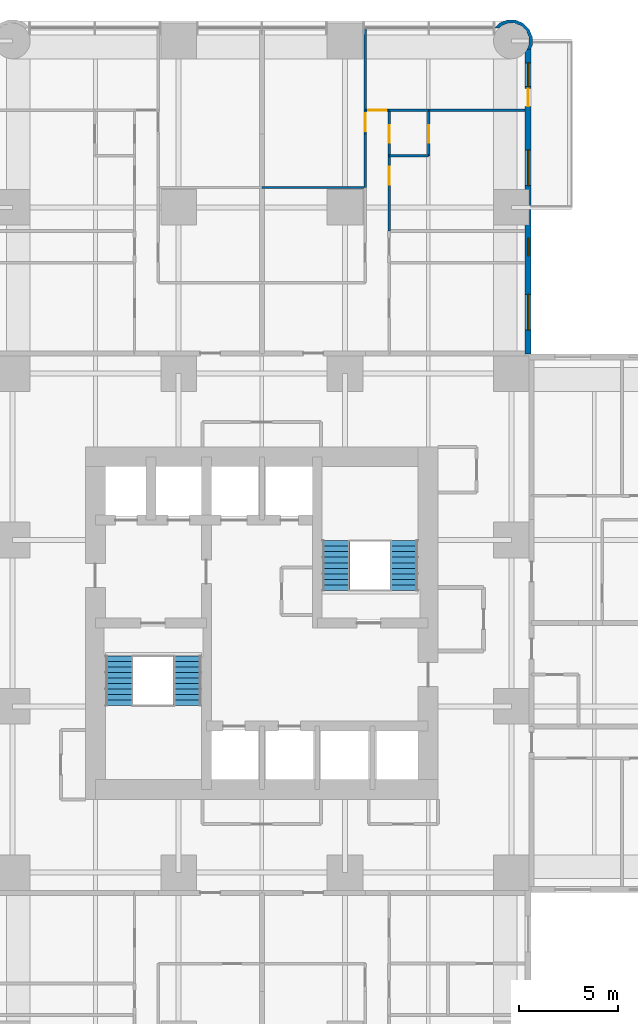
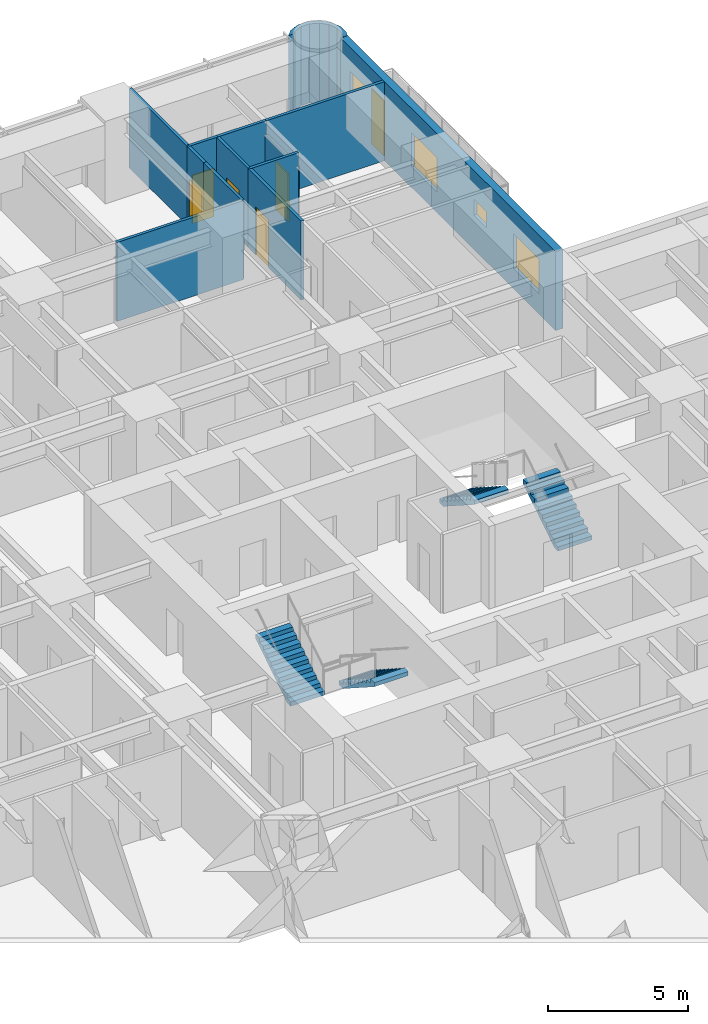
# One storey, part 15 of 17: 13 walls, 6 doors, 4 stair flights, 4 windows, 10 openings, 2 elements without a shape of their own.
"""IFC4 building model written with IfcOpenShell, lengths in metres."""

from ifc_helpers import new_model, si_unit, direction, frame, frame_2d, origin, place, context, subcontext, project, spatial, polyline, rectangle, outline, extrude, material, layer, layer_set, type_object, element, fill, aggregate, save


model = new_model("IFC4")

# Units and contexts
model_context = context("Model", 3, precision=1e-05, world=origin(), true_north=direction((0.0, 1.0)))
body_context = subcontext(model_context, "Body", "Model", "MODEL_VIEW")
ifc_project = project(units=[si_unit("LENGTHUNIT", "METRE"), si_unit("AREAUNIT", "SQUARE_METRE"), si_unit("VOLUMEUNIT", "CUBIC_METRE"), si_unit("PLANEANGLEUNIT", "RADIAN"), si_unit("MASSUNIT", "GRAM", prefix="KILO")], contexts=[model_context])

# Site, building, storey
site_placement = place(None, origin())
site = spatial("IfcSite", under=ifc_project, at=site_placement, CompositionType="ELEMENT")
building_placement = place(site_placement, origin())
building = spatial("IfcBuilding", under=site, at=building_placement, Name="Torre Alcanfor", CompositionType="ELEMENT")
storey_placement = place(building_placement, frame((0.0, 0.0, 52.5)))
storey = spatial("IfcBuildingStorey", under=building, at=storey_placement, Name="L12", CompositionType="ELEMENT", Elevation=52.5)

# Walls
ifc_material_1 = material(Name="Gypsum board on steel studs", Category="steel")
ifc_layer_1 = layer(ifc_material_1, 0.1201171875)
ifc_layer_set_1 = layer_set([ifc_layer_1], Name="Apartment partition 120")
wall_type_1 = type_object("IfcWallType", Name="Apartment partition 120", PredefinedType="PARTITIONING", material=ifc_layer_set_1)
wall_1_placement = place(storey_placement, frame((29.39990234375, 51.39990234375, 0.0), z_axis=(0.0, 0.0, 1.0), x_axis=(1.0, 0.0, 0.0)))
element("IfcWall", 1, at=wall_1_placement, inside=storey, type_object=wall_type_1, Name="Partition L12-N2-FAMILY / L12-N2-KITCHEN", PredefinedType="PARTITIONING", context=body_context, shape_type="SweptSolid", body=[
    extrude(rectangle(XDim=5.22900390625, YDim=0.1201171875, at=frame_2d((2.614501953125, 0.0))), origin(), (0.0, 0.0, 1.0), 3.449951171875),
])
wall_2_placement = place(storey_placement, frame((34.62890625, 54.10009765625, 0.0), z_axis=(0.0, 0.0, 1.0), x_axis=(0.0, -1.0, 0.0)))
element("IfcWall", 2, at=wall_2_placement, inside=storey, type_object=wall_type_1, Name="Partition L12-N2-KITCHEN / L12-N2-HALL", PredefinedType="PARTITIONING", context=body_context, shape_type="SweptSolid", body=[
    extrude(rectangle(XDim=2.7001953125, YDim=0.1201171875, at=frame_2d((1.35009765625, 0.0))), origin(), (0.0, 0.0, 1.0), 3.449951171875),
])

# Wall, opening, door
wall_3_placement = place(storey_placement, frame((34.62890625, 55.300048828125, 0.0), z_axis=(0.0, 0.0, 1.0), x_axis=(0.0, -1.0, 0.0)))
wall_3 = element("IfcWall", 3, at=wall_3_placement, inside=storey, type_object=wall_type_1, Name="Partition L12-N2-LIVING / L12-N2-HALL", PredefinedType="PARTITIONING", context=body_context, shape_type="SweptSolid", body=[
    extrude(rectangle(XDim=1.199951171875, YDim=0.1201171875, at=frame_2d((0.60009765625, 0.0))), origin(), (0.0, 0.0, 1.0), 3.449951171875),
])
opening_1_placement = place(wall_3_placement, frame((0.14990234375, 0.0, 0.0)))
opening_1 = element("IfcOpeningElement", 4, at=opening_1_placement, cuts=wall_3, Name="Opening D-R1", PredefinedType="OPENING", context=body_context, shape_type="SweptSolid", body=[
    extrude(rectangle(XDim=0.89990234375, YDim=2.10009765625, at=frame_2d((0.449951171875, 1.050048828125))), frame((0.0, 0.070068359375, 0.0), z_axis=(0.0, -1.0, 0.0), x_axis=(1.0, 0.0, 0.0)), (0.0, 0.0, 1.0), 0.14013671875),
])
ifc_material_2 = material(Name="Timber", Category="wood")
door_type_1 = type_object("IfcDoorType", Name="Internal door 900x2100", OperationType="SINGLE_SWING_LEFT", PredefinedType="DOOR", material=ifc_material_2)
door_1_placement = place(opening_1_placement, frame((0.89990234375, 0.0, 0.0), z_axis=(0.0, 0.0, 1.0), x_axis=(-1.0, 0.0, 0.0)))
door_1 = element("IfcDoor", 5, at=door_1_placement, inside=storey, type_object=door_type_1, Name="Door L12-N2 living", OperationType="SINGLE_SWING_LEFT", OverallHeight=2.10009765625, OverallWidth=0.89990234375, PredefinedType="DOOR", context=body_context, shape_type="SweptSolid", body=[
    extrude(rectangle(XDim=0.89990234375, YDim=2.10009765625, at=frame_2d((0.449951171875, 1.050048828125))), frame((0.0, 0.025146484375, 0.0), z_axis=(0.0, -1.0, 0.0), x_axis=(1.0, 0.0, 0.0)), (0.0, 0.0, 1.0), 0.050048828125),
])
fill(opening_1, door_1)

# Wall
wall_4_placement = place(storey_placement, frame((34.62890625, 59.449951171875, 0.0), z_axis=(0.0, 0.0, 1.0), x_axis=(0.0, -1.0, 0.0)))
element("IfcWall", 6, at=wall_4_placement, inside=storey, type_object=wall_type_1, Name="Partition L12-N2-LIVING / L12-N2-WGARD", PredefinedType="PARTITIONING", context=body_context, shape_type="SweptSolid", body=[
    extrude(rectangle(XDim=4.14990234375, YDim=0.1201171875, at=frame_2d((2.074951171875, 0.0))), origin(), (0.0, 0.0, 1.0), 3.449951171875),
])

# Wall, opening, door
wall_5_placement = place(storey_placement, frame((35.8291015625, 53.0, 0.0), z_axis=(0.0, 0.0, 1.0), x_axis=(0.0, -1.0, 0.0)))
wall_5 = element("IfcWall", 7, at=wall_5_placement, inside=storey, type_object=wall_type_1, Name="Partition L12-N2-HALL / L12-N2-MASTER", PredefinedType="PARTITIONING", context=body_context, shape_type="SweptSolid", body=[
    extrude(rectangle(XDim=3.800048828125, YDim=0.1201171875, at=frame_2d((1.89990234375, 0.0))), origin(), (0.0, 0.0, 1.0), 3.449951171875),
])
opening_2_placement = place(wall_5_placement, frame((0.550048828125, 0.0, 0.0)))
opening_2 = element("IfcOpeningElement", 8, at=opening_2_placement, cuts=wall_5, Name="Opening D-R1", PredefinedType="OPENING", context=body_context, shape_type="SweptSolid", body=[
    extrude(rectangle(XDim=0.89990234375, YDim=2.10009765625, at=frame_2d((0.449951171875, 1.050048828125))), frame((0.0, 0.070068359375, 0.0), z_axis=(0.0, -1.0, 0.0), x_axis=(1.0, 0.0, 0.0)), (0.0, 0.0, 1.0), 0.14013671875),
])
door_2_placement = place(opening_2_placement, origin())
door_2 = element("IfcDoor", 9, at=door_2_placement, inside=storey, type_object=door_type_1, Name="Door L12-N2 master", OperationType="SINGLE_SWING_LEFT", OverallHeight=2.10009765625, OverallWidth=0.89990234375, PredefinedType="DOOR", context=body_context, shape_type="SweptSolid", body=[
    extrude(rectangle(XDim=0.89990234375, YDim=2.10009765625, at=frame_2d((0.449951171875, 1.050048828125))), frame((0.0, 0.02490234375, 0.0), z_axis=(0.0, -1.0, 0.0), x_axis=(1.0, 0.0, 0.0)), (0.0, 0.0, 1.0), 0.050048828125),
])
fill(opening_2, door_2)

wall_6_placement = place(storey_placement, frame((35.8291015625, 55.300048828125, 0.0), z_axis=(0.0, 0.0, 1.0), x_axis=(0.0, -1.0, 0.0)))
wall_6 = element("IfcWall", 10, at=wall_6_placement, inside=storey, type_object=wall_type_1, Name="Partition L12-N2-HALL / L12-N2-VEST", PredefinedType="PARTITIONING", context=body_context, shape_type="SweptSolid", body=[
    extrude(rectangle(XDim=2.300048828125, YDim=0.1201171875, at=frame_2d((1.14990234375, 0.0))), origin(), (0.0, 0.0, 1.0), 3.449951171875),
])
opening_3_placement = place(wall_6_placement, frame((0.75, 0.0, 0.0)))
opening_3 = element("IfcOpeningElement", 11, at=opening_3_placement, cuts=wall_6, Name="Opening D-R1", PredefinedType="OPENING", context=body_context, shape_type="SweptSolid", body=[
    extrude(rectangle(XDim=0.89990234375, YDim=2.10009765625, at=frame_2d((0.449951171875, 1.050048828125))), frame((0.0, 0.070068359375, 0.0), z_axis=(0.0, -1.0, 0.0), x_axis=(1.0, 0.0, 0.0)), (0.0, 0.0, 1.0), 0.14013671875),
])
door_3_placement = place(opening_3_placement, origin())
door_3 = element("IfcDoor", 12, at=door_3_placement, inside=storey, type_object=door_type_1, Name="Door L12-N2 vest", OperationType="SINGLE_SWING_RIGHT", OverallHeight=2.10009765625, OverallWidth=0.89990234375, PredefinedType="DOOR", context=body_context, shape_type="SweptSolid", body=[
    extrude(rectangle(XDim=0.89990234375, YDim=2.10009765625, at=frame_2d((0.449951171875, 1.050048828125))), frame((0.0, 0.02490234375, 0.0), z_axis=(0.0, -1.0, 0.0), x_axis=(1.0, 0.0, 0.0)), (0.0, 0.0, 1.0), 0.050048828125),
])
fill(opening_3, door_3)

wall_7_placement = place(storey_placement, frame((34.62890625, 55.300048828125, 0.0), z_axis=(0.0, 0.0, 1.0), x_axis=(1.0, 0.0, 0.0)))
wall_7 = element("IfcWall", 13, at=wall_7_placement, inside=storey, type_object=wall_type_1, Name="Partition L12-N2-HALL / L12-N2-WGARD", PredefinedType="PARTITIONING", context=body_context, shape_type="SweptSolid", body=[
    extrude(rectangle(XDim=1.2001953125, YDim=0.1201171875, at=frame_2d((0.60009765625, 0.0))), origin(), (0.0, 0.0, 1.0), 3.449951171875),
])
opening_4_placement = place(wall_7_placement, frame((0.15087890625, 0.0, 0.0)))
opening_4 = element("IfcOpeningElement", 14, at=opening_4_placement, cuts=wall_7, Name="Opening D-R1", PredefinedType="OPENING", context=body_context, shape_type="SweptSolid", body=[
    extrude(rectangle(XDim=0.89990234375, YDim=2.10009765625, at=frame_2d((0.449951171875, 1.050048828125))), frame((0.0, 0.070068359375, 0.0), z_axis=(0.0, -1.0, 0.0), x_axis=(1.0, 0.0, 0.0)), (0.0, 0.0, 1.0), 0.14013671875),
])
door_4_placement = place(opening_4_placement, origin())
door_4 = element("IfcDoor", 15, at=door_4_placement, inside=storey, type_object=door_type_1, Name="Door L12-N2 wgard", OperationType="SINGLE_SWING_LEFT", OverallHeight=2.10009765625, OverallWidth=0.89990234375, PredefinedType="DOOR", context=body_context, shape_type="SweptSolid", body=[
    extrude(rectangle(XDim=0.89990234375, YDim=2.10009765625, at=frame_2d((0.449951171875, 1.050048828125))), frame((0.0, 0.02490234375, 0.0), z_axis=(0.0, -1.0, 0.0), x_axis=(1.0, 0.0, 0.0)), (0.0, 0.0, 1.0), 0.050048828125),
])
fill(opening_4, door_4)

# Wall
wall_8_placement = place(storey_placement, frame((35.8291015625, 53.0, 0.0), z_axis=(0.0, 0.0, 1.0), x_axis=(1.0, 0.0, 0.0)))
element("IfcWall", 16, at=wall_8_placement, inside=storey, type_object=wall_type_1, Name="Partition L12-N2-MASTER / L12-N2-VEST", PredefinedType="PARTITIONING", context=body_context, shape_type="SweptSolid", body=[
    extrude(rectangle(XDim=2.0, YDim=0.1201171875, at=frame_2d((1.0, 0.0))), origin(), (0.0, 0.0, 1.0), 3.449951171875),
])

# Wall, opening, door
wall_9_placement = place(storey_placement, frame((37.8291015625, 53.0, 0.0), z_axis=(0.0, 0.0, 1.0), x_axis=(0.0, 1.0, 0.0)))
wall_9 = element("IfcWall", 17, at=wall_9_placement, inside=storey, type_object=wall_type_1, Name="Partition L12-N2-MASTER / L12-N2-VEST", PredefinedType="PARTITIONING", context=body_context, shape_type="SweptSolid", body=[
    extrude(rectangle(XDim=2.300048828125, YDim=0.1201171875, at=frame_2d((1.14990234375, 0.0))), origin(), (0.0, 0.0, 1.0), 2.847900390625),
])
opening_5_placement = place(wall_9_placement, frame((0.64990234375, 0.0, 0.0)))
opening_5 = element("IfcOpeningElement", 18, at=opening_5_placement, cuts=wall_9, Name="Opening D-R1", PredefinedType="OPENING", context=body_context, shape_type="SweptSolid", body=[
    extrude(rectangle(XDim=0.89990234375, YDim=2.10009765625, at=frame_2d((0.449951171875, 1.050048828125))), frame((0.0, 0.070068359375, 0.0), z_axis=(0.0, -1.0, 0.0), x_axis=(1.0, 0.0, 0.0)), (0.0, 0.0, 1.0), 0.14013671875),
])
door_5_placement = place(opening_5_placement, origin())
door_5 = element("IfcDoor", 19, at=door_5_placement, inside=storey, type_object=door_type_1, Name="Door L12-N2 master", OperationType="SINGLE_SWING_LEFT", OverallHeight=2.10009765625, OverallWidth=0.89990234375, PredefinedType="DOOR", context=body_context, shape_type="SweptSolid", body=[
    extrude(rectangle(XDim=0.89990234375, YDim=2.10009765625, at=frame_2d((0.449951171875, 1.050048828125))), frame((0.0, 0.02490234375, 0.0), z_axis=(0.0, -1.0, 0.0), x_axis=(1.0, 0.0, 0.0)), (0.0, 0.0, 1.0), 0.050048828125),
])
fill(opening_5, door_5)

# Walls
wall_10_placement = place(storey_placement, frame((37.8291015625, 55.300048828125, 0.0), z_axis=(0.0, 0.0, 1.0), x_axis=(1.0, 0.0, 0.0)))
element("IfcWall", 20, at=wall_10_placement, inside=storey, type_object=wall_type_1, Name="Partition L12-N2-MASTER / L12-N2-WGARD", PredefinedType="PARTITIONING", context=body_context, shape_type="SweptSolid", body=[
    extrude(rectangle(XDim=4.870849609375, YDim=0.1201171875, at=frame_2d((2.435546875, 0.0))), origin(), (0.0, 0.0, 1.0), 3.449951171875),
])
wall_11_placement = place(storey_placement, frame((35.8291015625, 55.300048828125, 0.0), z_axis=(0.0, 0.0, 1.0), x_axis=(1.0, 0.0, 0.0)))
element("IfcWall", 21, at=wall_11_placement, inside=storey, type_object=wall_type_1, Name="Partition L12-N2-VEST / L12-N2-WGARD", PredefinedType="PARTITIONING", context=body_context, shape_type="SweptSolid", body=[
    extrude(rectangle(XDim=2.0, YDim=0.1201171875, at=frame_2d((1.0, 0.0))), origin(), (0.0, 0.0, 1.0), 3.449951171875),
])

# Wall, openings, door, windows
ifc_material_3 = material(Name="Limestone cladding", Category="masonry")
ifc_layer_2 = layer(ifc_material_3, 0.0400390625, Name="Facing")
ifc_material_4 = material(Name="Ventilated air cavity")
ifc_layer_3 = layer(ifc_material_4, 0.02001953125, ventilated=True, Name="Ventilated joint")
ifc_material_5 = material(Name="Mineral wool insulation", Category="insulation")
ifc_layer_4 = layer(ifc_material_5, 0.10009765625, Name="Insulation")
ifc_material_6 = material(Name="Concrete f'c 35 MPa", Category="concrete")
ifc_layer_5 = layer(ifc_material_6, 0.139892578125, Name="Backing")
ifc_layer_set_2 = layer_set([ifc_layer_2, ifc_layer_3, ifc_layer_4, ifc_layer_5], Name="External wall stone-clad 300")
wall_type_2 = type_object("IfcWallType", Name="External wall stone-clad 300", PredefinedType="SOLIDWALL", material=ifc_layer_set_2)
wall_12_placement = place(storey_placement, frame((42.85009765625, 43.0, 0.0), z_axis=(0.0, 0.0, 1.0), x_axis=(0.0, 1.0, 0.0)))
wall_12 = element("IfcWall", 22, at=wall_12_placement, inside=storey, type_object=wall_type_2, Name="External wall L12 10", PredefinedType="SOLIDWALL", context=body_context, shape_type="SweptSolid", body=[
    extrude(rectangle(XDim=15.39990234375, YDim=0.300048828125, at=frame_2d((7.699951171875, 0.0))), origin(), (0.0, 0.0, 1.0), 3.449951171875),
])
opening_6_placement = place(wall_12_placement, frame((1.199951171875, 0.0, 0.89990234375)))
opening_6 = element("IfcOpeningElement", 23, at=opening_6_placement, cuts=wall_12, Name="Opening W2", PredefinedType="OPENING", context=body_context, shape_type="SweptSolid", body=[
    extrude(rectangle(XDim=1.800048828125, YDim=1.5, at=frame_2d((0.89990234375, 0.75))), frame((0.0, 0.159912109375, 0.0), z_axis=(0.0, -1.0, 0.0), x_axis=(1.0, 0.0, 0.0)), (0.0, 0.0, 1.0), 0.320068359375),
])
opening_7_placement = place(wall_12_placement, frame((4.949951171875, 0.0, 1.5)))
opening_7 = element("IfcOpeningElement", 24, at=opening_7_placement, cuts=wall_12, Name="Opening W3", PredefinedType="OPENING", context=body_context, shape_type="SweptSolid", body=[
    extrude(rectangle(XDim=0.89990234375, YDim=0.699951171875, at=frame_2d((0.449951171875, 0.35009765625))), frame((0.0, 0.159912109375, 0.0), z_axis=(0.0, -1.0, 0.0), x_axis=(1.0, 0.0, 0.0)), (0.0, 0.0, 1.0), 0.320068359375),
])
opening_8_placement = place(wall_12_placement, frame((8.5, 0.0, 0.89990234375)))
opening_8 = element("IfcOpeningElement", 25, at=opening_8_placement, cuts=wall_12, Name="Opening W2", PredefinedType="OPENING", context=body_context, shape_type="SweptSolid", body=[
    extrude(rectangle(XDim=1.800048828125, YDim=1.5, at=frame_2d((0.89990234375, 0.75))), frame((0.0, 0.159912109375, 0.0), z_axis=(0.0, -1.0, 0.0), x_axis=(1.0, 0.0, 0.0)), (0.0, 0.0, 1.0), 0.320068359375),
])
opening_9_placement = place(wall_12_placement, frame((12.5, 0.0, 0.0)))
opening_9 = element("IfcOpeningElement", 26, at=opening_9_placement, cuts=wall_12, Name="Opening D-B1", PredefinedType="OPENING", context=body_context, shape_type="SweptSolid", body=[
    extrude(rectangle(XDim=0.89990234375, YDim=2.39990234375, at=frame_2d((0.449951171875, 1.199951171875))), frame((0.0, 0.159912109375, 0.0), z_axis=(0.0, -1.0, 0.0), x_axis=(1.0, 0.0, 0.0)), (0.0, 0.0, 1.0), 0.320068359375),
])
opening_10_placement = place(wall_12_placement, frame((13.5, 0.0, 0.89990234375)))
opening_10 = element("IfcOpeningElement", 27, at=opening_10_placement, cuts=wall_12, Name="Opening W4", PredefinedType="OPENING", context=body_context, shape_type="SweptSolid", body=[
    extrude(rectangle(XDim=1.199951171875, YDim=1.5, at=frame_2d((0.60009765625, 0.75))), frame((0.0, 0.159912109375, 0.0), z_axis=(0.0, -1.0, 0.0), x_axis=(1.0, 0.0, 0.0)), (0.0, 0.0, 1.0), 0.320068359375),
])
ifc_material_7 = material(Name="Aluminium and glass", Category="aluminium")
door_type_2 = type_object("IfcDoorType", Name="Balcony door glazed 900x2400", OperationType="SINGLE_SWING_LEFT", PredefinedType="DOOR", material=ifc_material_7)
door_6_placement = place(opening_9_placement, origin())
door_6 = element("IfcDoor", 28, at=door_6_placement, inside=storey, type_object=door_type_2, Name="Balcony door L12-N2", OperationType="SINGLE_SWING_LEFT", OverallHeight=2.39990234375, OverallWidth=0.89990234375, PredefinedType="DOOR", context=body_context, shape_type="SweptSolid", body=[
    extrude(rectangle(XDim=0.89990234375, YDim=2.39990234375, at=frame_2d((0.449951171875, 1.199951171875))), frame((0.0, 0.02490234375, 0.0), z_axis=(0.0, -1.0, 0.0), x_axis=(1.0, 0.0, 0.0)), (0.0, 0.0, 1.0), 0.050048828125),
])
fill(opening_9, door_6)
ifc_material_8 = material(Name="Aluminium frame with clear double glazing", Category="aluminium")
window_type_1 = type_object("IfcWindowType", Name="Window bathroom 900x700", PartitioningType="SINGLE_PANEL", PredefinedType="WINDOW", material=ifc_material_8)
window_1_placement = place(opening_7_placement, origin())
window_1 = element("IfcWindow", 29, at=window_1_placement, inside=storey, type_object=window_type_1, Name="Window W3 L12-N2", OverallHeight=0.699951171875, OverallWidth=0.89990234375, PartitioningType="SINGLE_PANEL", PredefinedType="WINDOW", context=body_context, shape_type="SweptSolid", body=[
    extrude(rectangle(XDim=0.89990234375, YDim=0.699951171875, at=frame_2d((0.449951171875, 0.35009765625))), frame((0.0, 0.030029296875, 0.0), z_axis=(0.0, -1.0, 0.0), x_axis=(1.0, 0.0, 0.0)), (0.0, 0.0, 1.0), 0.06005859375),
])
fill(opening_7, window_1)
ifc_material_9 = material(Name="Aluminium frame with clear double glazing", Category="aluminium")
window_type_2 = type_object("IfcWindowType", Name="Window bedroom 1200x1500", PartitioningType="SINGLE_PANEL", PredefinedType="WINDOW", material=ifc_material_9)
window_2_placement = place(opening_10_placement, origin())
window_2 = element("IfcWindow", 30, at=window_2_placement, inside=storey, type_object=window_type_2, Name="Window W4 L12-N2", OverallHeight=1.5, OverallWidth=1.199951171875, PartitioningType="SINGLE_PANEL", PredefinedType="WINDOW", context=body_context, shape_type="SweptSolid", body=[
    extrude(rectangle(XDim=1.199951171875, YDim=1.5, at=frame_2d((0.60009765625, 0.75))), frame((0.0, 0.030029296875, 0.0), z_axis=(0.0, -1.0, 0.0), x_axis=(1.0, 0.0, 0.0)), (0.0, 0.0, 1.0), 0.06005859375),
])
fill(opening_10, window_2)
ifc_material_10 = material(Name="Aluminium frame with clear double glazing", Category="aluminium")
window_type_3 = type_object("IfcWindowType", Name="Window bedroom 1800x1500", PartitioningType="SINGLE_PANEL", PredefinedType="WINDOW", material=ifc_material_10)
window_3_placement = place(opening_6_placement, origin())
window_3 = element("IfcWindow", 31, at=window_3_placement, inside=storey, type_object=window_type_3, Name="Window W2 L12-N2", OverallHeight=1.5, OverallWidth=1.800048828125, PartitioningType="SINGLE_PANEL", PredefinedType="WINDOW", context=body_context, shape_type="SweptSolid", body=[
    extrude(rectangle(XDim=1.800048828125, YDim=1.5, at=frame_2d((0.89990234375, 0.75))), frame((0.0, 0.030029296875, 0.0), z_axis=(0.0, -1.0, 0.0), x_axis=(1.0, 0.0, 0.0)), (0.0, 0.0, 1.0), 0.06005859375),
])
fill(opening_6, window_3)
window_4_placement = place(opening_8_placement, origin())
window_4 = element("IfcWindow", 32, at=window_4_placement, inside=storey, type_object=window_type_3, Name="Window W2 L12-N2", OverallHeight=1.5, OverallWidth=1.800048828125, PartitioningType="SINGLE_PANEL", PredefinedType="WINDOW", context=body_context, shape_type="SweptSolid", body=[
    extrude(rectangle(XDim=1.800048828125, YDim=1.5, at=frame_2d((0.89990234375, 0.75))), frame((0.0, 0.030029296875, 0.0), z_axis=(0.0, -1.0, 0.0), x_axis=(1.0, 0.0, 0.0)), (0.0, 0.0, 1.0), 0.06005859375),
])
fill(opening_8, window_4)

# Wall
ifc_layer_6 = layer(ifc_material_3, 0.0400390625, Name="Facing")
ifc_layer_7 = layer(ifc_material_4, 0.02001953125, ventilated=True, Name="Ventilated joint")
ifc_layer_8 = layer(ifc_material_5, 0.10009765625, Name="Insulation")
ifc_layer_9 = layer(ifc_material_6, 0.139892578125, Name="Backing")
ifc_layer_set_3 = layer_set([ifc_layer_6, ifc_layer_7, ifc_layer_8, ifc_layer_9], Name="Rounded corner pier stone-clad 300")
wall_type_3 = type_object("IfcWallType", Name="Rounded corner pier stone-clad 300", PredefinedType="SOLIDWALL", material=ifc_layer_set_3)
wall_13_placement = place(storey_placement, frame((42.909907157, 58.436037137, 0.0), z_axis=(0.0, 0.0, 1.0), x_axis=(0.377204953059, 0.926129809145, 0.0)))
element("IfcWall", 33, at=wall_13_placement, inside=storey, type_object=wall_type_3, Name="Corner pier L12 19", PredefinedType="SOLIDWALL", context=body_context, shape_type="SweptSolid", body=[
    extrude(outline(polyline([(0.7691852559267269, 1.7275655888693722), (0.7500837815089341, 1.7226854696447296), (0.5995184426781746, 1.8748886632921522), (0.2945936606603473, 2.0035010026328943), (0.2810273060341947, 1.997975539453316), (0.36031770266114094, 1.803298350568026), (0.5085974876189833, 1.7408474269996308), (0.7606365681954048, 1.4857768783201941), (0.8958262339890831, 1.1538534018003268), (0.8937222712355792, 0.7952725095567933), (0.7546148492098406, 0.46498406151765126), (0.499678315387847, 0.21326317790465843), (0.16775483886797962, 0.07807351211098004), (-0.09987659960761772, 0.07952365190173498), (0.0005179574386563676, -0.09706789048462287), (0.030062934124933945, -0.08028941878374739), (0.19840443706273136, -0.08131937838229769), (0.5888893443854909, 0.07772187013655965), (0.888882191412798, 0.3741551975114527), (1.0524222412975957, 0.7628997957685094), (1.0551270334293679, 1.1847291059055145), (0.8961778759635035, 1.5749879073178383), (0.7777318237989179, 1.6949314401857838), (0.7691852559267269, 1.7275655888693722)])), origin(), (0.0, 0.0, 1.0), 3.449951171875),
])

# Stair, stair flights
ifc_material_11 = material(Name="Concrete f'c 35 MPa", Category="concrete")
stair_type_1 = type_object("IfcStairType", Name="Exit stair S1 1400 wide", PredefinedType="HALF_TURN_STAIR", material=ifc_material_11)
stair_1_placement = place(storey_placement, origin())
stair_1 = element("IfcStair", 34, at=stair_1_placement, inside=storey, type_object=stair_type_1, Name="Stair S1 L12 to L13", PredefinedType="HALF_TURN_STAIR")
ifc_material_12 = material(Name="Concrete f'c 35 MPa", Category="concrete")
stair_flight_type = type_object("IfcStairFlightType", Name="Stair flight 1400", PredefinedType="STRAIGHT", material=ifc_material_12)
stair_flight_1_placement = place(storey_placement, frame((25.64990234375, 27.75, 0.0), z_axis=(0.0, 0.0, 1.0), x_axis=(0.0, -1.0, 0.0)))
stair_flight_1 = element("IfcStairFlight", 35, at=stair_flight_1_placement, type_object=stair_flight_type, Name="S1 flight 1", NumberOfRisers=10, NumberOfTreads=9, PredefinedType="STRAIGHT", RiserHeight=0.18, TreadLength=0.28, context=body_context, shape_type="SweptSolid", body=[
    extrude(outline(polyline([(0.0, 0.0), (0.0, 0.179931640625), (0.280029296875, 0.179931640625), (0.280029296875, 0.360107421875), (0.56005859375, 0.360107421875), (0.56005859375, 0.5400390625), (0.840087890625, 0.5400390625), (0.840087890625, 0.719970703125), (1.1201171875, 0.719970703125), (1.1201171875, 0.89990234375), (1.39990234375, 0.89990234375), (1.39990234375, 1.080078125), (1.679931640625, 1.080078125), (1.679931640625, 1.260009765625), (1.9599609375, 1.260009765625), (1.9599609375, 1.43994140625), (2.239990234375, 1.43994140625), (2.239990234375, 1.6201171875), (2.52001953125, 1.6201171875), (2.52001953125, 1.800048828125), (2.52001953125, 1.44189453125), (0.277099609375, 0.0), (0.0, 0.0)])), frame((0.0, 0.699951171875, 0.0), z_axis=(0.0, -1.0, 0.0), x_axis=(1.0, 0.0, 0.0)), (0.0, 0.0, 1.0), 1.39990234375),
])
stair_flight_2_placement = place(storey_placement, frame((22.199951171875, 25.22998046875, 1.800048828125), z_axis=(0.0, 0.0, 1.0), x_axis=(0.0, 1.0, 0.0)))
stair_flight_2 = element("IfcStairFlight", 36, at=stair_flight_2_placement, type_object=stair_flight_type, Name="S1 flight 2", NumberOfRisers=10, NumberOfTreads=9, PredefinedType="STRAIGHT", RiserHeight=0.18, TreadLength=0.28, context=body_context, shape_type="SweptSolid", body=[
    extrude(outline(polyline([(0.0, 0.0), (0.0, 0.179931640625), (0.280029296875, 0.179931640625), (0.280029296875, 0.360107421875), (0.56005859375, 0.360107421875), (0.56005859375, 0.5400390625), (0.840087890625, 0.5400390625), (0.840087890625, 0.719970703125), (1.1201171875, 0.719970703125), (1.1201171875, 0.89990234375), (1.39990234375, 0.89990234375), (1.39990234375, 1.080078125), (1.679931640625, 1.080078125), (1.679931640625, 1.260009765625), (1.9599609375, 1.260009765625), (1.9599609375, 1.43994140625), (2.239990234375, 1.43994140625), (2.239990234375, 1.6201171875), (2.52001953125, 1.6201171875), (2.52001953125, 1.800048828125), (2.52001953125, 1.44189453125), (0.277099609375, 0.0), (0.0, 0.0)])), frame((0.0, 0.699951171875, 0.0), z_axis=(0.0, -1.0, 0.0), x_axis=(1.0, 0.0, 0.0)), (0.0, 0.0, 1.0), 1.39990234375),
])
aggregate(stair_1, [stair_flight_1, stair_flight_2])

ifc_material_13 = material(Name="Concrete f'c 35 MPa", Category="concrete")
stair_type_2 = type_object("IfcStairType", Name="Exit stair S2 1400 wide", PredefinedType="HALF_TURN_STAIR", material=ifc_material_13)
stair_2_placement = place(storey_placement, origin())
stair_2 = element("IfcStair", 37, at=stair_2_placement, inside=storey, type_object=stair_type_2, Name="Stair S2 L12 to L13", PredefinedType="HALF_TURN_STAIR")
stair_flight_3_placement = place(storey_placement, frame((36.60009765625, 31.050048828125, 0.0), z_axis=(0.0, 0.0, 1.0), x_axis=(0.0, 1.0, 0.0)))
stair_flight_3 = element("IfcStairFlight", 38, at=stair_flight_3_placement, type_object=stair_flight_type, Name="S2 flight 1", NumberOfRisers=10, NumberOfTreads=9, PredefinedType="STRAIGHT", RiserHeight=0.18, TreadLength=0.28, context=body_context, shape_type="SweptSolid", body=[
    extrude(outline(polyline([(0.0, 0.0), (0.0, 0.179931640625), (0.280029296875, 0.179931640625), (0.280029296875, 0.360107421875), (0.56005859375, 0.360107421875), (0.56005859375, 0.5400390625), (0.840087890625, 0.5400390625), (0.840087890625, 0.719970703125), (1.1201171875, 0.719970703125), (1.1201171875, 0.89990234375), (1.39990234375, 0.89990234375), (1.39990234375, 1.080078125), (1.679931640625, 1.080078125), (1.679931640625, 1.260009765625), (1.9599609375, 1.260009765625), (1.9599609375, 1.43994140625), (2.239990234375, 1.43994140625), (2.239990234375, 1.6201171875), (2.52001953125, 1.6201171875), (2.52001953125, 1.800048828125), (2.52001953125, 1.44189453125), (0.277099609375, 0.0), (0.0, 0.0)])), frame((0.0, 0.699951171875, 0.0), z_axis=(0.0, -1.0, 0.0), x_axis=(1.0, 0.0, 0.0)), (0.0, 0.0, 1.0), 1.39990234375),
])
stair_flight_4_placement = place(storey_placement, frame((33.14990234375, 33.570068359375, 1.800048828125), z_axis=(0.0, 0.0, 1.0), x_axis=(0.0, -1.0, 0.0)))
stair_flight_4 = element("IfcStairFlight", 39, at=stair_flight_4_placement, type_object=stair_flight_type, Name="S2 flight 2", NumberOfRisers=10, NumberOfTreads=9, PredefinedType="STRAIGHT", RiserHeight=0.18, TreadLength=0.28, context=body_context, shape_type="SweptSolid", body=[
    extrude(outline(polyline([(0.0, 0.0), (0.0, 0.179931640625), (0.280029296875, 0.179931640625), (0.280029296875, 0.360107421875), (0.56005859375, 0.360107421875), (0.56005859375, 0.5400390625), (0.840087890625, 0.5400390625), (0.840087890625, 0.719970703125), (1.1201171875, 0.719970703125), (1.1201171875, 0.89990234375), (1.39990234375, 0.89990234375), (1.39990234375, 1.080078125), (1.679931640625, 1.080078125), (1.679931640625, 1.260009765625), (1.9599609375, 1.260009765625), (1.9599609375, 1.43994140625), (2.239990234375, 1.43994140625), (2.239990234375, 1.6201171875), (2.52001953125, 1.6201171875), (2.52001953125, 1.800048828125), (2.52001953125, 1.44189453125), (0.277099609375, 0.0), (0.0, 0.0)])), frame((0.0, 0.699951171875, 0.0), z_axis=(0.0, -1.0, 0.0), x_axis=(1.0, 0.0, 0.0)), (0.0, 0.0, 1.0), 1.39990234375),
])
aggregate(stair_2, [stair_flight_3, stair_flight_4])

save(model, "model.ifc")
